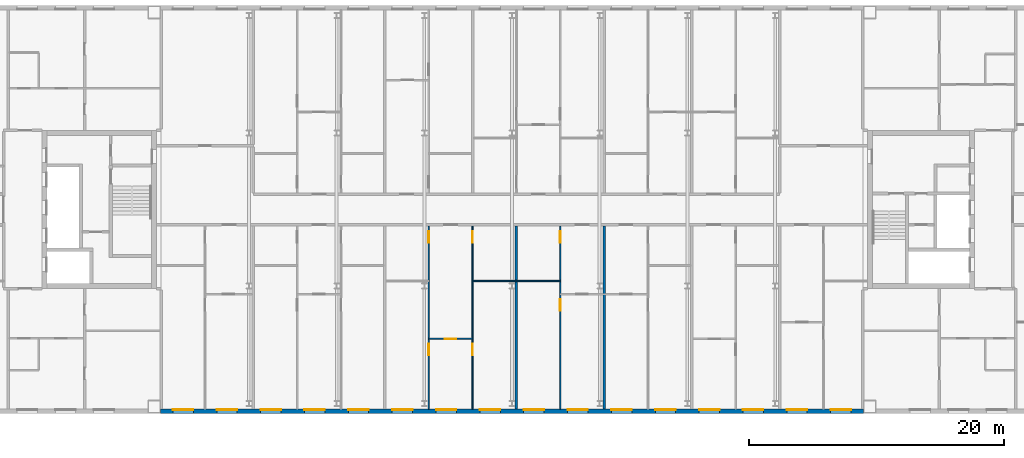
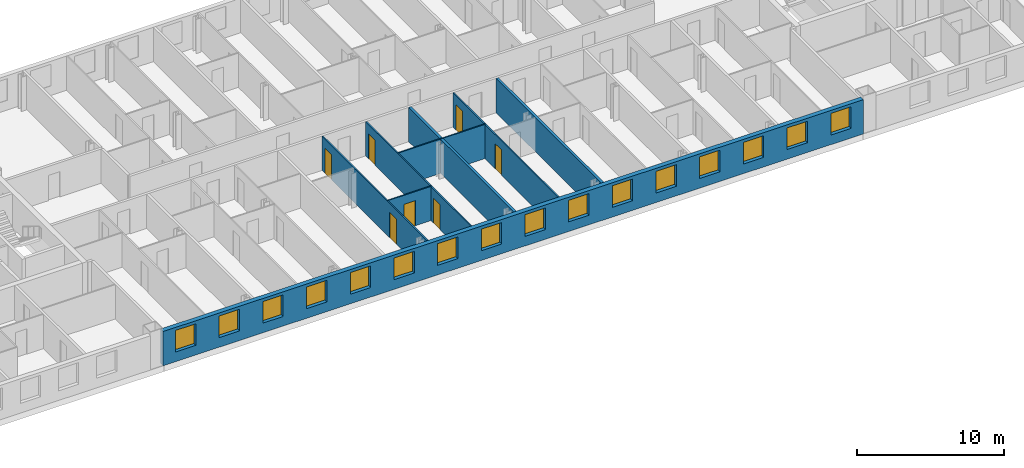
# One storey, part 10 of 19: 16 windows, 8 walls, 7 doors, 23 openings.
"""IFC4 building model written with IfcOpenShell, lengths in metres."""

from ifc_helpers import new_model, si_unit, direction, frame, frame_2d, origin, place, context, subcontext, project, spatial, rectangle, extrude, material, layer, layer_set, type_object, element, fill, save


model = new_model("IFC4")

# Units and contexts
model_context = context("Model", 3, precision=1e-05, world=origin(), true_north=direction((0.0, 1.0)))
body_context = subcontext(model_context, "Body", "Model", "MODEL_VIEW")
ifc_project = project(units=[si_unit("LENGTHUNIT", "METRE"), si_unit("AREAUNIT", "SQUARE_METRE"), si_unit("VOLUMEUNIT", "CUBIC_METRE"), si_unit("PLANEANGLEUNIT", "RADIAN"), si_unit("MASSUNIT", "GRAM", prefix="KILO")], contexts=[model_context])

# Site, building, storey
site_placement = place(None, origin())
site = spatial("IfcSite", under=ifc_project, at=site_placement, CompositionType="ELEMENT")
building_placement = place(site_placement, origin())
building = spatial("IfcBuilding", under=site, at=building_placement, Name="Tuart Gate Housing", CompositionType="ELEMENT")
storey_placement = place(building_placement, frame((0.0, 0.0, 202.800048828125)))
storey = spatial("IfcBuildingStorey", under=building, at=storey_placement, Name="L57", CompositionType="ELEMENT", Elevation=202.800048828125)

# Wall, openings, windows
ifc_material_1 = material(Name="Brick", Category="masonry")
ifc_layer_1 = layer(ifc_material_1, 0.360107421875)
ifc_layer_set_1 = layer_set([ifc_layer_1], Name="Brick pier and spandrel wall 360")
wall_type_1 = type_object("IfcWallType", Name="Brick pier and spandrel wall 360", PredefinedType="STANDARD", material=ifc_layer_set_1)
wall_1_placement = place(storey_placement, frame((75.949951171875, 54.179931640625, 0.0), z_axis=(0.0, 0.0, 1.0), x_axis=(1.0, 0.0, 0.0)))
wall_1 = element("IfcWall", 1, at=wall_1_placement, inside=storey, type_object=wall_type_1, Name="External wall BLK-S L57", PredefinedType="STANDARD", context=body_context, shape_type="SweptSolid", body=[
    extrude(rectangle(XDim=55.10009765625, YDim=0.360107421875, at=frame_2d((27.550048828125, 0.0))), origin(), (0.0, 0.0, 1.0), 2.849853515625),
])
opening_1_placement = place(wall_1_placement, frame((0.96875, 0.0, 0.800048828125)))
opening_1 = element("IfcOpeningElement", 2, at=opening_1_placement, cuts=wall_1, Name="Opening W1", PredefinedType="OPENING", context=body_context, shape_type="SweptSolid", body=[
    extrude(rectangle(XDim=1.60009765625, YDim=1.800048828125, at=frame_2d((0.800048828125, 0.89990234375))), frame((0.0, 0.18994140625, 0.0), z_axis=(0.0, -1.0, 0.0), x_axis=(1.0, 0.0, 0.0)), (0.0, 0.0, 1.0), 0.380126953125),
])
opening_2_placement = place(wall_1_placement, frame((4.40625, 0.0, 0.800048828125)))
opening_2 = element("IfcOpeningElement", 3, at=opening_2_placement, cuts=wall_1, Name="Opening W1", PredefinedType="OPENING", context=body_context, shape_type="SweptSolid", body=[
    extrude(rectangle(XDim=1.60009765625, YDim=1.800048828125, at=frame_2d((0.800048828125, 0.89990234375))), frame((0.0, 0.18994140625, 0.0), z_axis=(0.0, -1.0, 0.0), x_axis=(1.0, 0.0, 0.0)), (0.0, 0.0, 1.0), 0.380126953125),
])
opening_3_placement = place(wall_1_placement, frame((7.84375, 0.0, 0.800048828125)))
opening_3 = element("IfcOpeningElement", 4, at=opening_3_placement, cuts=wall_1, Name="Opening W1", PredefinedType="OPENING", context=body_context, shape_type="SweptSolid", body=[
    extrude(rectangle(XDim=1.60009765625, YDim=1.800048828125, at=frame_2d((0.800048828125, 0.89990234375))), frame((0.0, 0.18994140625, 0.0), z_axis=(0.0, -1.0, 0.0), x_axis=(1.0, 0.0, 0.0)), (0.0, 0.0, 1.0), 0.380126953125),
])
opening_4_placement = place(wall_1_placement, frame((11.28125, 0.0, 0.800048828125)))
opening_4 = element("IfcOpeningElement", 5, at=opening_4_placement, cuts=wall_1, Name="Opening W1", PredefinedType="OPENING", context=body_context, shape_type="SweptSolid", body=[
    extrude(rectangle(XDim=1.60009765625, YDim=1.800048828125, at=frame_2d((0.800048828125, 0.89990234375))), frame((0.0, 0.18994140625, 0.0), z_axis=(0.0, -1.0, 0.0), x_axis=(1.0, 0.0, 0.0)), (0.0, 0.0, 1.0), 0.380126953125),
])
opening_5_placement = place(wall_1_placement, frame((14.71875, 0.0, 0.800048828125)))
opening_5 = element("IfcOpeningElement", 6, at=opening_5_placement, cuts=wall_1, Name="Opening W1", PredefinedType="OPENING", context=body_context, shape_type="SweptSolid", body=[
    extrude(rectangle(XDim=1.60009765625, YDim=1.800048828125, at=frame_2d((0.800048828125, 0.89990234375))), frame((0.0, 0.18994140625, 0.0), z_axis=(0.0, -1.0, 0.0), x_axis=(1.0, 0.0, 0.0)), (0.0, 0.0, 1.0), 0.380126953125),
])
opening_6_placement = place(wall_1_placement, frame((18.15625, 0.0, 0.800048828125)))
opening_6 = element("IfcOpeningElement", 7, at=opening_6_placement, cuts=wall_1, Name="Opening W1", PredefinedType="OPENING", context=body_context, shape_type="SweptSolid", body=[
    extrude(rectangle(XDim=1.60009765625, YDim=1.800048828125, at=frame_2d((0.800048828125, 0.89990234375))), frame((0.0, 0.18994140625, 0.0), z_axis=(0.0, -1.0, 0.0), x_axis=(1.0, 0.0, 0.0)), (0.0, 0.0, 1.0), 0.380126953125),
])
opening_7_placement = place(wall_1_placement, frame((21.59375, 0.0, 0.800048828125)))
opening_7 = element("IfcOpeningElement", 8, at=opening_7_placement, cuts=wall_1, Name="Opening W1", PredefinedType="OPENING", context=body_context, shape_type="SweptSolid", body=[
    extrude(rectangle(XDim=1.60009765625, YDim=1.800048828125, at=frame_2d((0.800048828125, 0.89990234375))), frame((0.0, 0.18994140625, 0.0), z_axis=(0.0, -1.0, 0.0), x_axis=(1.0, 0.0, 0.0)), (0.0, 0.0, 1.0), 0.380126953125),
])
opening_8_placement = place(wall_1_placement, frame((25.03125, 0.0, 0.800048828125)))
opening_8 = element("IfcOpeningElement", 9, at=opening_8_placement, cuts=wall_1, Name="Opening W1", PredefinedType="OPENING", context=body_context, shape_type="SweptSolid", body=[
    extrude(rectangle(XDim=1.60009765625, YDim=1.800048828125, at=frame_2d((0.800048828125, 0.89990234375))), frame((0.0, 0.18994140625, 0.0), z_axis=(0.0, -1.0, 0.0), x_axis=(1.0, 0.0, 0.0)), (0.0, 0.0, 1.0), 0.380126953125),
])
opening_9_placement = place(wall_1_placement, frame((28.46875, 0.0, 0.800048828125)))
opening_9 = element("IfcOpeningElement", 10, at=opening_9_placement, cuts=wall_1, Name="Opening W1", PredefinedType="OPENING", context=body_context, shape_type="SweptSolid", body=[
    extrude(rectangle(XDim=1.60009765625, YDim=1.800048828125, at=frame_2d((0.800048828125, 0.89990234375))), frame((0.0, 0.18994140625, 0.0), z_axis=(0.0, -1.0, 0.0), x_axis=(1.0, 0.0, 0.0)), (0.0, 0.0, 1.0), 0.380126953125),
])
opening_10_placement = place(wall_1_placement, frame((31.90625, 0.0, 0.800048828125)))
opening_10 = element("IfcOpeningElement", 11, at=opening_10_placement, cuts=wall_1, Name="Opening W1", PredefinedType="OPENING", context=body_context, shape_type="SweptSolid", body=[
    extrude(rectangle(XDim=1.60009765625, YDim=1.800048828125, at=frame_2d((0.800048828125, 0.89990234375))), frame((0.0, 0.18994140625, 0.0), z_axis=(0.0, -1.0, 0.0), x_axis=(1.0, 0.0, 0.0)), (0.0, 0.0, 1.0), 0.380126953125),
])
opening_11_placement = place(wall_1_placement, frame((35.34375, 0.0, 0.800048828125)))
opening_11 = element("IfcOpeningElement", 12, at=opening_11_placement, cuts=wall_1, Name="Opening W1", PredefinedType="OPENING", context=body_context, shape_type="SweptSolid", body=[
    extrude(rectangle(XDim=1.60009765625, YDim=1.800048828125, at=frame_2d((0.800048828125, 0.89990234375))), frame((0.0, 0.18994140625, 0.0), z_axis=(0.0, -1.0, 0.0), x_axis=(1.0, 0.0, 0.0)), (0.0, 0.0, 1.0), 0.380126953125),
])
opening_12_placement = place(wall_1_placement, frame((38.78125, 0.0, 0.800048828125)))
opening_12 = element("IfcOpeningElement", 13, at=opening_12_placement, cuts=wall_1, Name="Opening W1", PredefinedType="OPENING", context=body_context, shape_type="SweptSolid", body=[
    extrude(rectangle(XDim=1.60009765625, YDim=1.800048828125, at=frame_2d((0.800048828125, 0.89990234375))), frame((0.0, 0.18994140625, 0.0), z_axis=(0.0, -1.0, 0.0), x_axis=(1.0, 0.0, 0.0)), (0.0, 0.0, 1.0), 0.380126953125),
])
opening_13_placement = place(wall_1_placement, frame((42.21875, 0.0, 0.800048828125)))
opening_13 = element("IfcOpeningElement", 14, at=opening_13_placement, cuts=wall_1, Name="Opening W1", PredefinedType="OPENING", context=body_context, shape_type="SweptSolid", body=[
    extrude(rectangle(XDim=1.60009765625, YDim=1.800048828125, at=frame_2d((0.800048828125, 0.89990234375))), frame((0.0, 0.18994140625, 0.0), z_axis=(0.0, -1.0, 0.0), x_axis=(1.0, 0.0, 0.0)), (0.0, 0.0, 1.0), 0.380126953125),
])
opening_14_placement = place(wall_1_placement, frame((45.65625, 0.0, 0.800048828125)))
opening_14 = element("IfcOpeningElement", 15, at=opening_14_placement, cuts=wall_1, Name="Opening W1", PredefinedType="OPENING", context=body_context, shape_type="SweptSolid", body=[
    extrude(rectangle(XDim=1.60009765625, YDim=1.800048828125, at=frame_2d((0.800048828125, 0.89990234375))), frame((0.0, 0.18994140625, 0.0), z_axis=(0.0, -1.0, 0.0), x_axis=(1.0, 0.0, 0.0)), (0.0, 0.0, 1.0), 0.380126953125),
])
opening_15_placement = place(wall_1_placement, frame((49.09375, 0.0, 0.800048828125)))
opening_15 = element("IfcOpeningElement", 16, at=opening_15_placement, cuts=wall_1, Name="Opening W1", PredefinedType="OPENING", context=body_context, shape_type="SweptSolid", body=[
    extrude(rectangle(XDim=1.60009765625, YDim=1.800048828125, at=frame_2d((0.800048828125, 0.89990234375))), frame((0.0, 0.18994140625, 0.0), z_axis=(0.0, -1.0, 0.0), x_axis=(1.0, 0.0, 0.0)), (0.0, 0.0, 1.0), 0.380126953125),
])
opening_16_placement = place(wall_1_placement, frame((52.53125, 0.0, 0.800048828125)))
opening_16 = element("IfcOpeningElement", 17, at=opening_16_placement, cuts=wall_1, Name="Opening W1", PredefinedType="OPENING", context=body_context, shape_type="SweptSolid", body=[
    extrude(rectangle(XDim=1.60009765625, YDim=1.800048828125, at=frame_2d((0.800048828125, 0.89990234375))), frame((0.0, 0.18994140625, 0.0), z_axis=(0.0, -1.0, 0.0), x_axis=(1.0, 0.0, 0.0)), (0.0, 0.0, 1.0), 0.380126953125),
])
ifc_material_2 = material(Name="Aluminium frame with clear glass", Category="aluminium")
window_type = type_object("IfcWindowType", Name="Punched window 1600 x 1800", PartitioningType="SINGLE_PANEL", PredefinedType="WINDOW", material=ifc_material_2)
window_1_placement = place(opening_1_placement, origin())
window_1 = element("IfcWindow", 18, at=window_1_placement, inside=storey, type_object=window_type, Name="Window W1", OverallHeight=1.800048828125, OverallWidth=1.60009765625, PartitioningType="SINGLE_PANEL", PredefinedType="WINDOW", context=body_context, shape_type="SweptSolid", body=[
    extrude(rectangle(XDim=1.60009765625, YDim=1.800048828125, at=frame_2d((0.800048828125, 0.89990234375))), frame((0.0, 0.150146484375, 0.0), z_axis=(0.0, -1.0, 0.0), x_axis=(1.0, 0.0, 0.0)), (0.0, 0.0, 1.0), 0.06005859375),
])
fill(opening_1, window_1)
window_2_placement = place(opening_2_placement, origin())
window_2 = element("IfcWindow", 19, at=window_2_placement, inside=storey, type_object=window_type, Name="Window W1", OverallHeight=1.800048828125, OverallWidth=1.60009765625, PartitioningType="SINGLE_PANEL", PredefinedType="WINDOW", context=body_context, shape_type="SweptSolid", body=[
    extrude(rectangle(XDim=1.60009765625, YDim=1.800048828125, at=frame_2d((0.800048828125, 0.89990234375))), frame((0.0, 0.150146484375, 0.0), z_axis=(0.0, -1.0, 0.0), x_axis=(1.0, 0.0, 0.0)), (0.0, 0.0, 1.0), 0.06005859375),
])
fill(opening_2, window_2)
window_3_placement = place(opening_3_placement, origin())
window_3 = element("IfcWindow", 20, at=window_3_placement, inside=storey, type_object=window_type, Name="Window W1", OverallHeight=1.800048828125, OverallWidth=1.60009765625, PartitioningType="SINGLE_PANEL", PredefinedType="WINDOW", context=body_context, shape_type="SweptSolid", body=[
    extrude(rectangle(XDim=1.60009765625, YDim=1.800048828125, at=frame_2d((0.800048828125, 0.89990234375))), frame((0.0, 0.150146484375, 0.0), z_axis=(0.0, -1.0, 0.0), x_axis=(1.0, 0.0, 0.0)), (0.0, 0.0, 1.0), 0.06005859375),
])
fill(opening_3, window_3)
window_4_placement = place(opening_4_placement, origin())
window_4 = element("IfcWindow", 21, at=window_4_placement, inside=storey, type_object=window_type, Name="Window W1", OverallHeight=1.800048828125, OverallWidth=1.60009765625, PartitioningType="SINGLE_PANEL", PredefinedType="WINDOW", context=body_context, shape_type="SweptSolid", body=[
    extrude(rectangle(XDim=1.60009765625, YDim=1.800048828125, at=frame_2d((0.800048828125, 0.89990234375))), frame((0.0, 0.150146484375, 0.0), z_axis=(0.0, -1.0, 0.0), x_axis=(1.0, 0.0, 0.0)), (0.0, 0.0, 1.0), 0.06005859375),
])
fill(opening_4, window_4)
window_5_placement = place(opening_5_placement, origin())
window_5 = element("IfcWindow", 22, at=window_5_placement, inside=storey, type_object=window_type, Name="Window W1", OverallHeight=1.800048828125, OverallWidth=1.60009765625, PartitioningType="SINGLE_PANEL", PredefinedType="WINDOW", context=body_context, shape_type="SweptSolid", body=[
    extrude(rectangle(XDim=1.60009765625, YDim=1.800048828125, at=frame_2d((0.800048828125, 0.89990234375))), frame((0.0, 0.150146484375, 0.0), z_axis=(0.0, -1.0, 0.0), x_axis=(1.0, 0.0, 0.0)), (0.0, 0.0, 1.0), 0.06005859375),
])
fill(opening_5, window_5)
window_6_placement = place(opening_6_placement, origin())
window_6 = element("IfcWindow", 23, at=window_6_placement, inside=storey, type_object=window_type, Name="Window W1", OverallHeight=1.800048828125, OverallWidth=1.60009765625, PartitioningType="SINGLE_PANEL", PredefinedType="WINDOW", context=body_context, shape_type="SweptSolid", body=[
    extrude(rectangle(XDim=1.60009765625, YDim=1.800048828125, at=frame_2d((0.800048828125, 0.89990234375))), frame((0.0, 0.150146484375, 0.0), z_axis=(0.0, -1.0, 0.0), x_axis=(1.0, 0.0, 0.0)), (0.0, 0.0, 1.0), 0.06005859375),
])
fill(opening_6, window_6)
window_7_placement = place(opening_7_placement, origin())
window_7 = element("IfcWindow", 24, at=window_7_placement, inside=storey, type_object=window_type, Name="Window W1", OverallHeight=1.800048828125, OverallWidth=1.60009765625, PartitioningType="SINGLE_PANEL", PredefinedType="WINDOW", context=body_context, shape_type="SweptSolid", body=[
    extrude(rectangle(XDim=1.60009765625, YDim=1.800048828125, at=frame_2d((0.800048828125, 0.89990234375))), frame((0.0, 0.150146484375, 0.0), z_axis=(0.0, -1.0, 0.0), x_axis=(1.0, 0.0, 0.0)), (0.0, 0.0, 1.0), 0.06005859375),
])
fill(opening_7, window_7)
window_8_placement = place(opening_8_placement, origin())
window_8 = element("IfcWindow", 25, at=window_8_placement, inside=storey, type_object=window_type, Name="Window W1", OverallHeight=1.800048828125, OverallWidth=1.60009765625, PartitioningType="SINGLE_PANEL", PredefinedType="WINDOW", context=body_context, shape_type="SweptSolid", body=[
    extrude(rectangle(XDim=1.60009765625, YDim=1.800048828125, at=frame_2d((0.800048828125, 0.89990234375))), frame((0.0, 0.150146484375, 0.0), z_axis=(0.0, -1.0, 0.0), x_axis=(1.0, 0.0, 0.0)), (0.0, 0.0, 1.0), 0.06005859375),
])
fill(opening_8, window_8)
window_9_placement = place(opening_9_placement, origin())
window_9 = element("IfcWindow", 26, at=window_9_placement, inside=storey, type_object=window_type, Name="Window W1", OverallHeight=1.800048828125, OverallWidth=1.60009765625, PartitioningType="SINGLE_PANEL", PredefinedType="WINDOW", context=body_context, shape_type="SweptSolid", body=[
    extrude(rectangle(XDim=1.60009765625, YDim=1.800048828125, at=frame_2d((0.800048828125, 0.89990234375))), frame((0.0, 0.150146484375, 0.0), z_axis=(0.0, -1.0, 0.0), x_axis=(1.0, 0.0, 0.0)), (0.0, 0.0, 1.0), 0.06005859375),
])
fill(opening_9, window_9)
window_10_placement = place(opening_10_placement, origin())
window_10 = element("IfcWindow", 27, at=window_10_placement, inside=storey, type_object=window_type, Name="Window W1", OverallHeight=1.800048828125, OverallWidth=1.60009765625, PartitioningType="SINGLE_PANEL", PredefinedType="WINDOW", context=body_context, shape_type="SweptSolid", body=[
    extrude(rectangle(XDim=1.60009765625, YDim=1.800048828125, at=frame_2d((0.800048828125, 0.89990234375))), frame((0.0, 0.150146484375, 0.0), z_axis=(0.0, -1.0, 0.0), x_axis=(1.0, 0.0, 0.0)), (0.0, 0.0, 1.0), 0.06005859375),
])
fill(opening_10, window_10)
window_11_placement = place(opening_11_placement, origin())
window_11 = element("IfcWindow", 28, at=window_11_placement, inside=storey, type_object=window_type, Name="Window W1", OverallHeight=1.800048828125, OverallWidth=1.60009765625, PartitioningType="SINGLE_PANEL", PredefinedType="WINDOW", context=body_context, shape_type="SweptSolid", body=[
    extrude(rectangle(XDim=1.60009765625, YDim=1.800048828125, at=frame_2d((0.800048828125, 0.89990234375))), frame((0.0, 0.150146484375, 0.0), z_axis=(0.0, -1.0, 0.0), x_axis=(1.0, 0.0, 0.0)), (0.0, 0.0, 1.0), 0.06005859375),
])
fill(opening_11, window_11)
window_12_placement = place(opening_12_placement, origin())
window_12 = element("IfcWindow", 29, at=window_12_placement, inside=storey, type_object=window_type, Name="Window W1", OverallHeight=1.800048828125, OverallWidth=1.60009765625, PartitioningType="SINGLE_PANEL", PredefinedType="WINDOW", context=body_context, shape_type="SweptSolid", body=[
    extrude(rectangle(XDim=1.60009765625, YDim=1.800048828125, at=frame_2d((0.800048828125, 0.89990234375))), frame((0.0, 0.150146484375, 0.0), z_axis=(0.0, -1.0, 0.0), x_axis=(1.0, 0.0, 0.0)), (0.0, 0.0, 1.0), 0.06005859375),
])
fill(opening_12, window_12)
window_13_placement = place(opening_13_placement, origin())
window_13 = element("IfcWindow", 30, at=window_13_placement, inside=storey, type_object=window_type, Name="Window W1", OverallHeight=1.800048828125, OverallWidth=1.60009765625, PartitioningType="SINGLE_PANEL", PredefinedType="WINDOW", context=body_context, shape_type="SweptSolid", body=[
    extrude(rectangle(XDim=1.60009765625, YDim=1.800048828125, at=frame_2d((0.800048828125, 0.89990234375))), frame((0.0, 0.150146484375, 0.0), z_axis=(0.0, -1.0, 0.0), x_axis=(1.0, 0.0, 0.0)), (0.0, 0.0, 1.0), 0.06005859375),
])
fill(opening_13, window_13)
window_14_placement = place(opening_14_placement, origin())
window_14 = element("IfcWindow", 31, at=window_14_placement, inside=storey, type_object=window_type, Name="Window W1", OverallHeight=1.800048828125, OverallWidth=1.60009765625, PartitioningType="SINGLE_PANEL", PredefinedType="WINDOW", context=body_context, shape_type="SweptSolid", body=[
    extrude(rectangle(XDim=1.60009765625, YDim=1.800048828125, at=frame_2d((0.800048828125, 0.89990234375))), frame((0.0, 0.150146484375, 0.0), z_axis=(0.0, -1.0, 0.0), x_axis=(1.0, 0.0, 0.0)), (0.0, 0.0, 1.0), 0.06005859375),
])
fill(opening_14, window_14)
window_15_placement = place(opening_15_placement, origin())
window_15 = element("IfcWindow", 32, at=window_15_placement, inside=storey, type_object=window_type, Name="Window W1", OverallHeight=1.800048828125, OverallWidth=1.60009765625, PartitioningType="SINGLE_PANEL", PredefinedType="WINDOW", context=body_context, shape_type="SweptSolid", body=[
    extrude(rectangle(XDim=1.60009765625, YDim=1.800048828125, at=frame_2d((0.800048828125, 0.89990234375))), frame((0.0, 0.150146484375, 0.0), z_axis=(0.0, -1.0, 0.0), x_axis=(1.0, 0.0, 0.0)), (0.0, 0.0, 1.0), 0.06005859375),
])
fill(opening_15, window_15)
window_16_placement = place(opening_16_placement, origin())
window_16 = element("IfcWindow", 33, at=window_16_placement, inside=storey, type_object=window_type, Name="Window W1", OverallHeight=1.800048828125, OverallWidth=1.60009765625, PartitioningType="SINGLE_PANEL", PredefinedType="WINDOW", context=body_context, shape_type="SweptSolid", body=[
    extrude(rectangle(XDim=1.60009765625, YDim=1.800048828125, at=frame_2d((0.800048828125, 0.89990234375))), frame((0.0, 0.150146484375, 0.0), z_axis=(0.0, -1.0, 0.0), x_axis=(1.0, 0.0, 0.0)), (0.0, 0.0, 1.0), 0.06005859375),
])
fill(opening_16, window_16)

# Wall, opening, door
ifc_material_3 = material(Name="Gypsum board on steel studs", Category="steel")
ifc_layer_2 = layer(ifc_material_3, 0.10009765625)
ifc_layer_set_2 = layer_set([ifc_layer_2], Name="Partition 100")
wall_type_2 = type_object("IfcWallType", Name="Partition 100", PredefinedType="PARTITIONING", material=ifc_layer_set_2)
wall_2_placement = place(storey_placement, frame((96.97509765625, 59.860107421875, 0.0), z_axis=(0.0, 0.0, 1.0), x_axis=(1.0, 0.0, 0.0)))
wall_2 = element("IfcWall", 34, at=wall_2_placement, inside=storey, type_object=wall_type_2, Name="Partition 100", PredefinedType="PARTITIONING", context=body_context, shape_type="SweptSolid", body=[
    extrude(rectangle(XDim=3.43701171875, YDim=0.10009765625, at=frame_2d((1.718505859375, 0.0))), origin(), (0.0, 0.0, 1.0), 2.849853515625),
])
opening_17_placement = place(wall_2_placement, frame((1.2685546875, 0.0, 0.0)))
opening_17 = element("IfcOpeningElement", 35, at=opening_17_placement, cuts=wall_2, Name="Opening D2058", PredefinedType="OPENING", context=body_context, shape_type="SweptSolid", body=[
    extrude(rectangle(XDim=0.89990234375, YDim=2.10009765625, at=frame_2d((0.449951171875, 1.050048828125))), frame((0.0, 0.06005859375, 0.0), z_axis=(0.0, -1.0, 0.0), x_axis=(1.0, 0.0, 0.0)), (0.0, 0.0, 1.0), 0.1201171875),
])
ifc_material_4 = material(Name="Timber door leaf in steel frame", Category="steel")
door_type_1 = type_object("IfcDoorType", Name="Internal door 900", OperationType="SINGLE_SWING_LEFT", PredefinedType="DOOR", material=ifc_material_4)
door_1_placement = place(opening_17_placement, origin())
door_1 = element("IfcDoor", 36, at=door_1_placement, inside=storey, type_object=door_type_1, Name="Internal door", OperationType="SINGLE_SWING_LEFT", OverallHeight=2.10009765625, OverallWidth=0.89990234375, PredefinedType="DOOR", context=body_context, shape_type="SweptSolid", body=[
    extrude(rectangle(XDim=0.89990234375, YDim=2.10009765625, at=frame_2d((0.449951171875, 1.050048828125))), frame((0.0, 0.02490234375, 0.0), z_axis=(0.0, -1.0, 0.0), x_axis=(1.0, 0.0, 0.0)), (0.0, 0.0, 1.0), 0.050048828125),
])
fill(opening_17, door_1)

# Wall
wall_3_placement = place(storey_placement, frame((100.412109375, 64.39990234375, 0.0), z_axis=(0.0, 0.0, 1.0), x_axis=(1.0, 0.0, 0.0)))
element("IfcWall", 37, at=wall_3_placement, inside=storey, type_object=wall_type_2, Name="Partition 100", PredefinedType="PARTITIONING", context=body_context, shape_type="SweptSolid", body=[
    extrude(rectangle(XDim=6.875, YDim=0.10009765625, at=frame_2d((3.4375, 0.0))), origin(), (0.0, 0.0, 1.0), 2.849853515625),
])

# Wall, openings, doors
wall_4_placement = place(storey_placement, frame((96.97509765625, 54.360107421875, 0.0), z_axis=(0.0, 0.0, 1.0), x_axis=(0.0, 1.0, 0.0)))
wall_4 = element("IfcWall", 38, at=wall_4_placement, inside=storey, type_object=wall_type_2, Name="Partition 100", PredefinedType="PARTITIONING", context=body_context, shape_type="SweptSolid", body=[
    extrude(rectangle(XDim=14.33984375, YDim=0.10009765625, at=frame_2d((7.169921875, 0.0))), origin(), (0.0, 0.0, 1.0), 2.849853515625),
])
opening_18_placement = place(wall_4_placement, frame((4.199951171875, 0.0, 0.0)))
opening_18 = element("IfcOpeningElement", 39, at=opening_18_placement, cuts=wall_4, Name="Opening D2046", PredefinedType="OPENING", context=body_context, shape_type="SweptSolid", body=[
    extrude(rectangle(XDim=0.89990234375, YDim=2.10009765625, at=frame_2d((0.449951171875, 1.050048828125))), frame((0.0, 0.06005859375, 0.0), z_axis=(0.0, -1.0, 0.0), x_axis=(1.0, 0.0, 0.0)), (0.0, 0.0, 1.0), 0.1201171875),
])
opening_19_placement = place(wall_4_placement, frame((13.0400390625, 0.0, 0.0)))
opening_19 = element("IfcOpeningElement", 40, at=opening_19_placement, cuts=wall_4, Name="Opening D2045", PredefinedType="OPENING", context=body_context, shape_type="SweptSolid", body=[
    extrude(rectangle(XDim=0.89990234375, YDim=2.10009765625, at=frame_2d((0.449951171875, 1.050048828125))), frame((0.0, 0.06005859375, 0.0), z_axis=(0.0, -1.0, 0.0), x_axis=(1.0, 0.0, 0.0)), (0.0, 0.0, 1.0), 0.1201171875),
])
ifc_material_5 = material(Name="Timber door leaf in steel frame", Category="steel")
door_type_2 = type_object("IfcDoorType", Name="Bathroom door 900 RH", OperationType="SINGLE_SWING_RIGHT", PredefinedType="DOOR", material=ifc_material_5)
door_2_placement = place(opening_19_placement, origin())
door_2 = element("IfcDoor", 41, at=door_2_placement, inside=storey, type_object=door_type_2, Name="Bathroom door", OperationType="SINGLE_SWING_RIGHT", OverallHeight=2.10009765625, OverallWidth=0.89990234375, PredefinedType="DOOR", context=body_context, shape_type="SweptSolid", body=[
    extrude(rectangle(XDim=0.89990234375, YDim=2.10009765625, at=frame_2d((0.449951171875, 1.050048828125))), frame((0.0, 0.02490234375, 0.0), z_axis=(0.0, -1.0, 0.0), x_axis=(1.0, 0.0, 0.0)), (0.0, 0.0, 1.0), 0.050048828125),
])
fill(opening_19, door_2)
door_3_placement = place(opening_18_placement, origin())
door_3 = element("IfcDoor", 42, at=door_3_placement, inside=storey, type_object=door_type_1, Name="Internal door", OperationType="SINGLE_SWING_LEFT", OverallHeight=2.10009765625, OverallWidth=0.89990234375, PredefinedType="DOOR", context=body_context, shape_type="SweptSolid", body=[
    extrude(rectangle(XDim=0.89990234375, YDim=2.10009765625, at=frame_2d((0.449951171875, 1.050048828125))), frame((0.0, 0.02490234375, 0.0), z_axis=(0.0, -1.0, 0.0), x_axis=(1.0, 0.0, 0.0)), (0.0, 0.0, 1.0), 0.050048828125),
])
fill(opening_18, door_3)

wall_5_placement = place(storey_placement, frame((100.412109375, 54.360107421875, 0.0), z_axis=(0.0, 0.0, 1.0), x_axis=(0.0, 1.0, 0.0)))
wall_5 = element("IfcWall", 43, at=wall_5_placement, inside=storey, type_object=wall_type_2, Name="Partition 100", PredefinedType="PARTITIONING", context=body_context, shape_type="SweptSolid", body=[
    extrude(rectangle(XDim=14.33984375, YDim=0.10009765625, at=frame_2d((7.169921875, 0.0))), origin(), (0.0, 0.0, 1.0), 2.849853515625),
])
opening_20_placement = place(wall_5_placement, frame((4.199951171875, 0.0, 0.0)))
opening_20 = element("IfcOpeningElement", 44, at=opening_20_placement, cuts=wall_5, Name="Opening D2048", PredefinedType="OPENING", context=body_context, shape_type="SweptSolid", body=[
    extrude(rectangle(XDim=0.89990234375, YDim=2.10009765625, at=frame_2d((0.449951171875, 1.050048828125))), frame((0.0, 0.06005859375, 0.0), z_axis=(0.0, -1.0, 0.0), x_axis=(1.0, 0.0, 0.0)), (0.0, 0.0, 1.0), 0.1201171875),
])
opening_21_placement = place(wall_5_placement, frame((13.0400390625, 0.0, 0.0)))
opening_21 = element("IfcOpeningElement", 45, at=opening_21_placement, cuts=wall_5, Name="Opening D2047", PredefinedType="OPENING", context=body_context, shape_type="SweptSolid", body=[
    extrude(rectangle(XDim=0.89990234375, YDim=2.10009765625, at=frame_2d((0.449951171875, 1.050048828125))), frame((0.0, 0.06005859375, 0.0), z_axis=(0.0, -1.0, 0.0), x_axis=(1.0, 0.0, 0.0)), (0.0, 0.0, 1.0), 0.1201171875),
])
ifc_material_6 = material(Name="Timber door leaf in steel frame", Category="steel")
door_type_3 = type_object("IfcDoorType", Name="Bathroom door 900", OperationType="SINGLE_SWING_LEFT", PredefinedType="DOOR", material=ifc_material_6)
door_4_placement = place(opening_21_placement, frame((0.89990234375, 0.0, 0.0), z_axis=(0.0, 0.0, 1.0), x_axis=(-1.0, 0.0, 0.0)))
door_4 = element("IfcDoor", 46, at=door_4_placement, inside=storey, type_object=door_type_3, Name="Bathroom door", OperationType="SINGLE_SWING_LEFT", OverallHeight=2.10009765625, OverallWidth=0.89990234375, PredefinedType="DOOR", context=body_context, shape_type="SweptSolid", body=[
    extrude(rectangle(XDim=0.89990234375, YDim=2.10009765625, at=frame_2d((0.449951171875, 1.050048828125))), frame((0.0, 0.025146484375, 0.0), z_axis=(0.0, -1.0, 0.0), x_axis=(1.0, 0.0, 0.0)), (0.0, 0.0, 1.0), 0.050048828125),
])
fill(opening_21, door_4)
ifc_material_7 = material(Name="Timber door leaf in steel frame", Category="steel")
door_type_4 = type_object("IfcDoorType", Name="Internal door 900 RH", OperationType="SINGLE_SWING_RIGHT", PredefinedType="DOOR", material=ifc_material_7)
door_5_placement = place(opening_20_placement, frame((0.89990234375, 0.0, 0.0), z_axis=(0.0, 0.0, 1.0), x_axis=(-1.0, 0.0, 0.0)))
door_5 = element("IfcDoor", 47, at=door_5_placement, inside=storey, type_object=door_type_4, Name="Internal door", OperationType="SINGLE_SWING_RIGHT", OverallHeight=2.10009765625, OverallWidth=0.89990234375, PredefinedType="DOOR", context=body_context, shape_type="SweptSolid", body=[
    extrude(rectangle(XDim=0.89990234375, YDim=2.10009765625, at=frame_2d((0.449951171875, 1.050048828125))), frame((0.0, 0.025146484375, 0.0), z_axis=(0.0, -1.0, 0.0), x_axis=(1.0, 0.0, 0.0)), (0.0, 0.0, 1.0), 0.050048828125),
])
fill(opening_20, door_5)

wall_6_placement = place(storey_placement, frame((107.287109375, 54.360107421875, 0.0), z_axis=(0.0, 0.0, 1.0), x_axis=(0.0, 1.0, 0.0)))
wall_6 = element("IfcWall", 48, at=wall_6_placement, inside=storey, type_object=wall_type_2, Name="Partition 100", PredefinedType="PARTITIONING", context=body_context, shape_type="SweptSolid", body=[
    extrude(rectangle(XDim=14.33984375, YDim=0.10009765625, at=frame_2d((7.169921875, 0.0))), origin(), (0.0, 0.0, 1.0), 2.849853515625),
])
opening_22_placement = place(wall_6_placement, frame((7.699951171875, 0.0, 0.0)))
opening_22 = element("IfcOpeningElement", 49, at=opening_22_placement, cuts=wall_6, Name="Opening D2050", PredefinedType="OPENING", context=body_context, shape_type="SweptSolid", body=[
    extrude(rectangle(XDim=0.89990234375, YDim=2.10009765625, at=frame_2d((0.449951171875, 1.050048828125))), frame((0.0, 0.06005859375, 0.0), z_axis=(0.0, -1.0, 0.0), x_axis=(1.0, 0.0, 0.0)), (0.0, 0.0, 1.0), 0.1201171875),
])
opening_23_placement = place(wall_6_placement, frame((13.0400390625, 0.0, 0.0)))
opening_23 = element("IfcOpeningElement", 50, at=opening_23_placement, cuts=wall_6, Name="Opening D2049", PredefinedType="OPENING", context=body_context, shape_type="SweptSolid", body=[
    extrude(rectangle(XDim=0.89990234375, YDim=2.10009765625, at=frame_2d((0.449951171875, 1.050048828125))), frame((0.0, 0.06005859375, 0.0), z_axis=(0.0, -1.0, 0.0), x_axis=(1.0, 0.0, 0.0)), (0.0, 0.0, 1.0), 0.1201171875),
])
door_6_placement = place(opening_23_placement, origin())
door_6 = element("IfcDoor", 51, at=door_6_placement, inside=storey, type_object=door_type_2, Name="Bathroom door", OperationType="SINGLE_SWING_RIGHT", OverallHeight=2.10009765625, OverallWidth=0.89990234375, PredefinedType="DOOR", context=body_context, shape_type="SweptSolid", body=[
    extrude(rectangle(XDim=0.89990234375, YDim=2.10009765625, at=frame_2d((0.449951171875, 1.050048828125))), frame((0.0, 0.02490234375, 0.0), z_axis=(0.0, -1.0, 0.0), x_axis=(1.0, 0.0, 0.0)), (0.0, 0.0, 1.0), 0.050048828125),
])
fill(opening_23, door_6)
door_7_placement = place(opening_22_placement, origin())
door_7 = element("IfcDoor", 52, at=door_7_placement, inside=storey, type_object=door_type_4, Name="Internal door", OperationType="SINGLE_SWING_RIGHT", OverallHeight=2.10009765625, OverallWidth=0.89990234375, PredefinedType="DOOR", context=body_context, shape_type="SweptSolid", body=[
    extrude(rectangle(XDim=0.89990234375, YDim=2.10009765625, at=frame_2d((0.449951171875, 1.050048828125))), frame((0.0, 0.02490234375, 0.0), z_axis=(0.0, -1.0, 0.0), x_axis=(1.0, 0.0, 0.0)), (0.0, 0.0, 1.0), 0.050048828125),
])
fill(opening_22, door_7)

# Walls
ifc_material_8 = material(Name="Concrete masonry 15 MPa", Category="masonry")
ifc_layer_3 = layer(ifc_material_8, 0.199951171875)
ifc_layer_set_3 = layer_set([ifc_layer_3], Name="Party wall masonry 200")
wall_type_3 = type_object("IfcWallType", Name="Party wall masonry 200", PredefinedType="PARTITIONING", material=ifc_layer_set_3)
for number, where, z_axis, x_axis, name in (
    (53, (103.85009765625, 54.360107421875, 0.0), (0.0, 0.0, 1.0), (0.0, 1.0, 0.0), "Party wall masonry 200"),
    (54, (110.72509765625, 54.360107421875, 0.0), (0.0, 0.0, 1.0), (0.0, 1.0, 0.0), "Party wall masonry 200"),
):
    element("IfcWall", number, at=place(storey_placement, frame(where, z_axis=z_axis, x_axis=x_axis)), inside=storey, type_object=wall_type_3, Name=name, PredefinedType="PARTITIONING", context=body_context, shape_type="SweptSolid", body=[
        extrude(rectangle(XDim=14.33984375, YDim=0.199951171875, at=frame_2d((7.169921875, 0.0))), origin(), (0.0, 0.0, 1.0), 2.849853515625),
    ])

save(model, "model.ifc")
